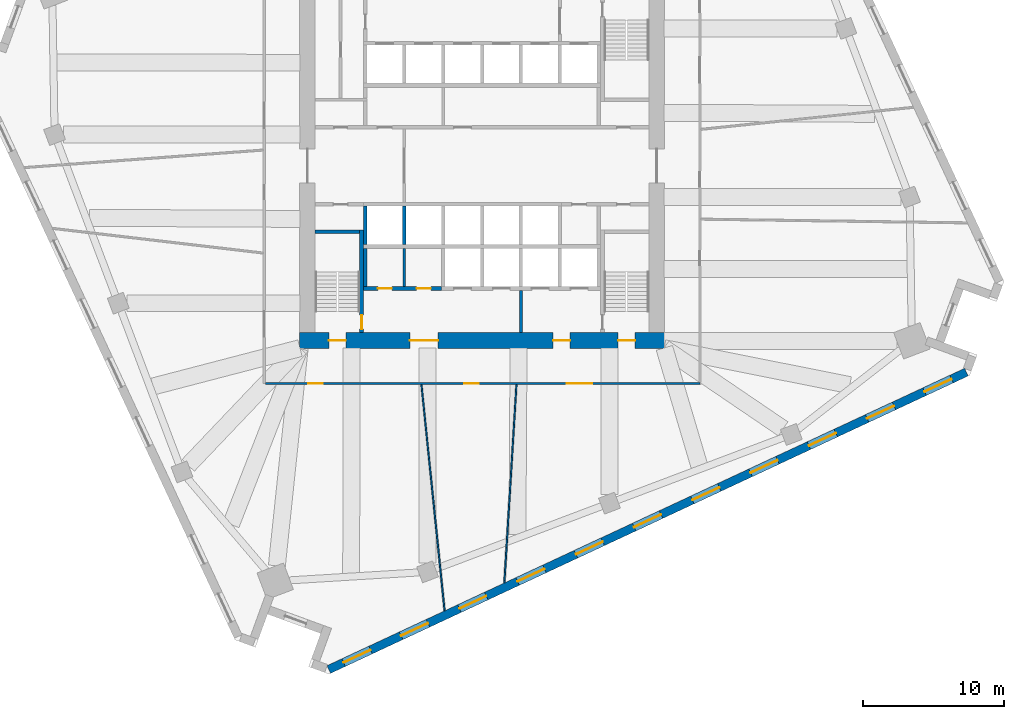
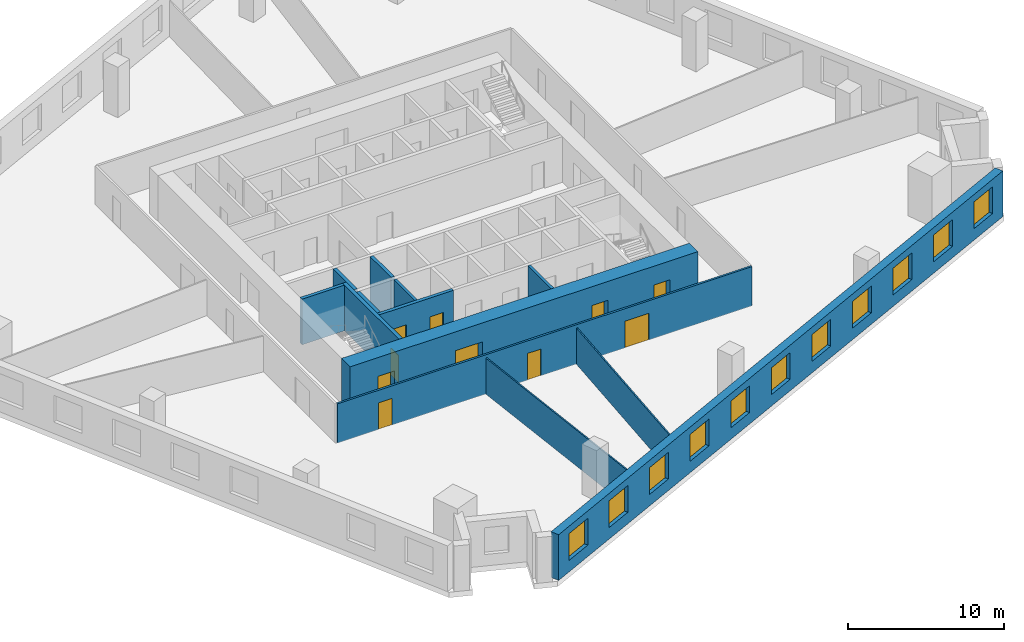
# One storey, part 6 of 12: 13 walls, 11 windows, 10 doors, 21 openings.
"""IFC4 building model written with IfcOpenShell, lengths in metres."""

from ifc_helpers import new_model, si_unit, direction, frame, frame_2d, origin, place, context, subcontext, project, spatial, rectangle, extrude, material, layer, layer_set, type_object, element, fill, save


model = new_model("IFC4")

# Units and contexts
model_context = context("Model", 3, precision=1e-05, world=origin(), true_north=direction((0.0, 1.0)))
body_context = subcontext(model_context, "Body", "Model", "MODEL_VIEW")
ifc_project = project(units=[si_unit("LENGTHUNIT", "METRE"), si_unit("AREAUNIT", "SQUARE_METRE"), si_unit("VOLUMEUNIT", "CUBIC_METRE"), si_unit("PLANEANGLEUNIT", "RADIAN"), si_unit("MASSUNIT", "GRAM", prefix="KILO")], contexts=[model_context])

# Site, building, storey
site_placement = place(None, origin())
site = spatial("IfcSite", under=ifc_project, at=site_placement, CompositionType="ELEMENT")
building_placement = place(site_placement, origin())
building = spatial("IfcBuilding", under=site, at=building_placement, Name="Dilmun Exchange Tower", CompositionType="ELEMENT")
storey_placement = place(building_placement, frame((0.0, 0.0, 126.10009765625)))
storey = spatial("IfcBuildingStorey", under=building, at=storey_placement, Name="L29", CompositionType="ELEMENT", Elevation=126.10009765625)

# Walls
ifc_material_1 = material(Name="Concrete C40/50", Category="concrete")
ifc_layer_1 = layer(ifc_material_1, 0.199951171875)
ifc_layer_set_1 = layer_set([ifc_layer_1], Name="Concrete C40/50")
wall_type_1 = type_object("IfcWallType", Name="Core partition wall 200", PredefinedType="PARTITIONING", material=ifc_layer_set_1)
wall_1_placement = place(storey_placement, frame((2.75, -11.794921875, 0.0), z_axis=(0.0, 0.0, 1.0), x_axis=(0.0, 1.0, 0.0)))
element("IfcWall", 1, at=wall_1_placement, inside=storey, type_object=wall_type_1, Name="L29 core partition wall 01", PredefinedType="PARTITIONING", context=body_context, shape_type="SweptSolid", body=[
    extrude(rectangle(XDim=2.989990234375, YDim=0.199951171875, at=frame_2d((1.4951171875, 0.0))), origin(), (0.0, 0.0, 1.0), 3.579833984375),
])
wall_2_placement = place(storey_placement, frame((-5.5, -8.544921875, 0.0), z_axis=(0.0, 0.0, 1.0), x_axis=(0.0, 1.0, 0.0)))
element("IfcWall", 2, at=wall_2_placement, inside=storey, type_object=wall_type_1, Name="L29 core partition wall 04", PredefinedType="PARTITIONING", context=body_context, shape_type="SweptSolid", body=[
    extrude(rectangle(XDim=2.68994140625, YDim=0.199951171875, at=frame_2d((1.344970703125, 0.0))), origin(), (0.0, 0.0, 1.0), 3.579833984375),
])

# Wall, openings, doors
ifc_layer_2 = layer(ifc_material_1, 0.25)
ifc_layer_set_2 = layer_set([ifc_layer_2], Name="Concrete C40/50")
wall_type_2 = type_object("IfcWallType", Name="Core partition wall 250", PredefinedType="PARTITIONING", material=ifc_layer_set_2)
wall_3_placement = place(storey_placement, frame((-8.3701171875, -8.675048828125, 0.0), z_axis=(0.0, 0.0, 1.0), x_axis=(1.0, 0.0, 0.0)))
wall_3 = element("IfcWall", 3, at=wall_3_placement, inside=storey, type_object=wall_type_2, Name="L29 core partition wall 02", PredefinedType="PARTITIONING", context=body_context, shape_type="SweptSolid", body=[
    extrude(rectangle(XDim=5.490234375, YDim=0.25, at=frame_2d((2.7451171875, 0.0))), origin(), (0.0, 0.0, 1.0), 3.579833984375),
])
opening_1_placement = place(wall_3_placement, frame((0.9951171875, 0.0, 0.0)))
opening_1 = element("IfcOpeningElement", 4, at=opening_1_placement, cuts=wall_3, Name="Opening CD4", PredefinedType="OPENING", context=body_context, shape_type="SweptSolid", body=[
    extrude(rectangle(XDim=1.0, YDim=2.10009765625, at=frame_2d((0.5, 1.050048828125))), frame((0.0, 0.135009765625, 0.0), z_axis=(0.0, -1.0, 0.0), x_axis=(1.0, 0.0, 0.0)), (0.0, 0.0, 1.0), 0.27001953125),
])
opening_2_placement = place(wall_3_placement, frame((3.7451171875, 0.0, 0.0)))
opening_2 = element("IfcOpeningElement", 5, at=opening_2_placement, cuts=wall_3, Name="Opening CD4", PredefinedType="OPENING", context=body_context, shape_type="SweptSolid", body=[
    extrude(rectangle(XDim=1.0, YDim=2.10009765625, at=frame_2d((0.5, 1.050048828125))), frame((0.0, 0.135009765625, 0.0), z_axis=(0.0, -1.0, 0.0), x_axis=(1.0, 0.0, 0.0)), (0.0, 0.0, 1.0), 0.27001953125),
])
ifc_material_2 = material(Name="Fire-rated steel door set", Category="steel")
door_type_1 = type_object("IfcDoorType", Name="Core room door 1000x2100", OperationType="SINGLE_SWING_LEFT", PredefinedType="DOOR", material=ifc_material_2)
door_1_placement = place(opening_1_placement, origin())
door_1 = element("IfcDoor", 6, at=door_1_placement, inside=storey, type_object=door_type_1, Name="L29 door Male WC", OperationType="SINGLE_SWING_RIGHT", OverallHeight=2.10009765625, OverallWidth=1.0, PredefinedType="DOOR", context=body_context, shape_type="SweptSolid", body=[
    extrude(rectangle(XDim=1.0, YDim=2.10009765625, at=frame_2d((0.5, 1.050048828125))), frame((0.0, 0.02490234375, 0.0), z_axis=(0.0, -1.0, 0.0), x_axis=(1.0, 0.0, 0.0)), (0.0, 0.0, 1.0), 0.050048828125),
])
fill(opening_1, door_1)
door_2_placement = place(opening_2_placement, origin())
door_2 = element("IfcDoor", 7, at=door_2_placement, inside=storey, type_object=door_type_1, Name="L29 door Female WC", OperationType="SINGLE_SWING_RIGHT", OverallHeight=2.10009765625, OverallWidth=1.0, PredefinedType="DOOR", context=body_context, shape_type="SweptSolid", body=[
    extrude(rectangle(XDim=1.0, YDim=2.10009765625, at=frame_2d((0.5, 1.050048828125))), frame((0.0, 0.02490234375, 0.0), z_axis=(0.0, -1.0, 0.0), x_axis=(1.0, 0.0, 0.0)), (0.0, 0.0, 1.0), 0.050048828125),
])
fill(opening_2, door_2)

# Wall
wall_4_placement = place(storey_placement, frame((-8.25, -8.544921875, 0.0), z_axis=(0.0, 0.0, 1.0), x_axis=(0.0, 1.0, 0.0)))
element("IfcWall", 8, at=wall_4_placement, inside=storey, type_object=wall_type_2, Name="L29 core partition wall 03", PredefinedType="PARTITIONING", context=body_context, shape_type="SweptSolid", body=[
    extrude(rectangle(XDim=2.68994140625, YDim=0.25, at=frame_2d((1.344970703125, 0.0))), origin(), (0.0, 0.0, 1.0), 3.579833984375),
])

# Wall, openings, doors
ifc_material_3 = material(Name="Concrete C80/95", Category="concrete")
ifc_layer_3 = layer(ifc_material_3, 1.10009765625)
ifc_layer_set_3 = layer_set([ifc_layer_3], Name="Concrete C80/95")
wall_type_3 = type_object("IfcWallType", Name="Core shear wall 1100 Concrete C80/95", PredefinedType="SHEAR", material=ifc_layer_set_3)
wall_5_placement = place(storey_placement, frame((-12.89990234375, -12.35009765625, 0.0), z_axis=(0.0, 0.0, 1.0), x_axis=(1.0, 0.0, 0.0)))
wall_5 = element("IfcWall", 9, at=wall_5_placement, inside=storey, type_object=wall_type_3, Name="L29 core shear wall S", PredefinedType="SHEAR", context=body_context, shape_type="SweptSolid", body=[
    extrude(rectangle(XDim=25.7998046875, YDim=1.10009765625, at=frame_2d((12.89990234375, 0.0))), origin(), (0.0, 0.0, 1.0), 3.579833984375),
])
opening_3_placement = place(wall_5_placement, frame((7.800048828125, 0.0, 0.0)))
opening_3 = element("IfcOpeningElement", 10, at=opening_3_placement, cuts=wall_5, Name="Opening CD2", PredefinedType="OPENING", context=body_context, shape_type="SweptSolid", body=[
    extrude(rectangle(XDim=2.0, YDim=2.10009765625, at=frame_2d((1.0, 1.050048828125))), frame((0.0, 0.56005859375, 0.0), z_axis=(0.0, -1.0, 0.0), x_axis=(1.0, 0.0, 0.0)), (0.0, 0.0, 1.0), 1.1201171875),
])
opening_4_placement = place(wall_5_placement, frame((17.925048828125, 0.0, 0.0)))
opening_4 = element("IfcOpeningElement", 11, at=opening_4_placement, cuts=wall_5, Name="Opening CD3", PredefinedType="OPENING", context=body_context, shape_type="SweptSolid", body=[
    extrude(rectangle(XDim=1.199951171875, YDim=2.10009765625, at=frame_2d((0.60009765625, 1.050048828125))), frame((0.0, 0.56005859375, 0.0), z_axis=(0.0, -1.0, 0.0), x_axis=(1.0, 0.0, 0.0)), (0.0, 0.0, 1.0), 1.1201171875),
])
opening_5_placement = place(wall_5_placement, frame((2.074951171875, 0.0, 0.0)))
opening_5 = element("IfcOpeningElement", 12, at=opening_5_placement, cuts=wall_5, Name="Opening CD3", PredefinedType="OPENING", context=body_context, shape_type="SweptSolid", body=[
    extrude(rectangle(XDim=1.199951171875, YDim=2.10009765625, at=frame_2d((0.60009765625, 1.050048828125))), frame((0.0, 0.56005859375, 0.0), z_axis=(0.0, -1.0, 0.0), x_axis=(1.0, 0.0, 0.0)), (0.0, 0.0, 1.0), 1.1201171875),
])
opening_6_placement = place(wall_5_placement, frame((22.52490234375, 0.0, 0.0)))
opening_6 = element("IfcOpeningElement", 13, at=opening_6_placement, cuts=wall_5, Name="Opening CD3", PredefinedType="OPENING", context=body_context, shape_type="SweptSolid", body=[
    extrude(rectangle(XDim=1.199951171875, YDim=2.10009765625, at=frame_2d((0.60009765625, 1.050048828125))), frame((0.0, 0.56005859375, 0.0), z_axis=(0.0, -1.0, 0.0), x_axis=(1.0, 0.0, 0.0)), (0.0, 0.0, 1.0), 1.1201171875),
])
door_type_2 = type_object("IfcDoorType", Name="Core service door 2000x2100", OperationType="DOUBLE_DOOR_DOUBLE_SWING", PredefinedType="DOOR", material=ifc_material_2)
door_3_placement = place(opening_3_placement, origin())
door_3 = element("IfcDoor", 14, at=door_3_placement, inside=storey, type_object=door_type_2, Name="L29 door South service lobby", OperationType="SINGLE_SWING_LEFT", OverallHeight=2.10009765625, OverallWidth=2.0, PredefinedType="DOOR", context=body_context, shape_type="SweptSolid", body=[
    extrude(rectangle(XDim=2.0, YDim=2.10009765625, at=frame_2d((1.0, 1.050048828125))), frame((0.0, 0.02490234375, 0.0), z_axis=(0.0, -1.0, 0.0), x_axis=(1.0, 0.0, 0.0)), (0.0, 0.0, 1.0), 0.050048828125),
])
fill(opening_3, door_3)
door_type_3 = type_object("IfcDoorType", Name="Stair exit door 1200x2100", OperationType="SINGLE_SWING_LEFT", PredefinedType="DOOR", material=ifc_material_2)
door_4_placement = place(opening_4_placement, origin())
door_4 = element("IfcDoor", 15, at=door_4_placement, inside=storey, type_object=door_type_3, Name="L29 door Fire-fighting lobby", OperationType="SINGLE_SWING_LEFT", OverallHeight=2.10009765625, OverallWidth=1.199951171875, PredefinedType="DOOR", context=body_context, shape_type="SweptSolid", body=[
    extrude(rectangle(XDim=1.199951171875, YDim=2.10009765625, at=frame_2d((0.60009765625, 1.050048828125))), frame((0.0, 0.02490234375, 0.0), z_axis=(0.0, -1.0, 0.0), x_axis=(1.0, 0.0, 0.0)), (0.0, 0.0, 1.0), 0.050048828125),
])
fill(opening_4, door_4)
door_5_placement = place(opening_5_placement, origin())
door_5 = element("IfcDoor", 16, at=door_5_placement, inside=storey, type_object=door_type_3, Name="L29 door Stair ST2", OperationType="SINGLE_SWING_LEFT", OverallHeight=2.10009765625, OverallWidth=1.199951171875, PredefinedType="DOOR", context=body_context, shape_type="SweptSolid", body=[
    extrude(rectangle(XDim=1.199951171875, YDim=2.10009765625, at=frame_2d((0.60009765625, 1.050048828125))), frame((0.0, 0.02490234375, 0.0), z_axis=(0.0, -1.0, 0.0), x_axis=(1.0, 0.0, 0.0)), (0.0, 0.0, 1.0), 0.050048828125),
])
fill(opening_5, door_5)
door_6_placement = place(opening_6_placement, origin())
door_6 = element("IfcDoor", 17, at=door_6_placement, inside=storey, type_object=door_type_3, Name="L29 door Stair ST3", OperationType="SINGLE_SWING_LEFT", OverallHeight=2.10009765625, OverallWidth=1.199951171875, PredefinedType="DOOR", context=body_context, shape_type="SweptSolid", body=[
    extrude(rectangle(XDim=1.199951171875, YDim=2.10009765625, at=frame_2d((0.60009765625, 1.050048828125))), frame((0.0, 0.02490234375, 0.0), z_axis=(0.0, -1.0, 0.0), x_axis=(1.0, 0.0, 0.0)), (0.0, 0.0, 1.0), 0.050048828125),
])
fill(opening_6, door_6)

ifc_material_4 = material(Name="Corridor wall 150")
ifc_layer_4 = layer(ifc_material_4, 0.14990234375)
ifc_layer_set_4 = layer_set([ifc_layer_4], Name="Corridor wall 150")
wall_type_4 = type_object("IfcWallType", Name="Corridor wall 150", PredefinedType="PARTITIONING", material=ifc_layer_set_4)
wall_6_placement = place(storey_placement, frame((-15.324951171875, -15.39990234375, 0.0), z_axis=(0.0, 0.0, 1.0), x_axis=(1.0, 0.0, 0.0)))
wall_6 = element("IfcWall", 18, at=wall_6_placement, inside=storey, type_object=wall_type_4, Name="Corridor wall", PredefinedType="PARTITIONING", context=body_context, shape_type="SweptSolid", body=[
    extrude(rectangle(XDim=30.724853515625, YDim=0.14990234375, at=frame_2d((15.3623046875, 0.0))), origin(), (0.0, 0.0, 1.0), 3.079833984375),
])
opening_7_placement = place(wall_6_placement, frame((3.050048828125, 0.0, 0.0)))
opening_7 = element("IfcOpeningElement", 19, at=opening_7_placement, cuts=wall_6, Name="Opening TF28-D05", PredefinedType="OPENING", context=body_context, shape_type="SweptSolid", body=[
    extrude(rectangle(XDim=1.0, YDim=2.10009765625, at=frame_2d((0.5, 1.050048828125))), frame((0.0, 0.0849609375, 0.0), z_axis=(0.0, -1.0, 0.0), x_axis=(1.0, 0.0, 0.0)), (0.0, 0.0, 1.0), 0.169921875),
])
opening_8_placement = place(wall_6_placement, frame((14.08056640625, 0.0, 0.0)))
opening_8 = element("IfcOpeningElement", 20, at=opening_8_placement, cuts=wall_6, Name="Opening TF28-D06", PredefinedType="OPENING", context=body_context, shape_type="SweptSolid", body=[
    extrude(rectangle(XDim=1.0, YDim=2.10009765625, at=frame_2d((0.5, 1.050048828125))), frame((0.0, 0.0849609375, 0.0), z_axis=(0.0, -1.0, 0.0), x_axis=(1.0, 0.0, 0.0)), (0.0, 0.0, 1.0), 0.169921875),
])
opening_9_placement = place(wall_6_placement, frame((21.308837890625, 0.0, 0.0)))
opening_9 = element("IfcOpeningElement", 21, at=opening_9_placement, cuts=wall_6, Name="Opening TF28-D10", PredefinedType="OPENING", context=body_context, shape_type="SweptSolid", body=[
    extrude(rectangle(XDim=1.800048828125, YDim=2.10009765625, at=frame_2d((0.89990234375, 1.050048828125))), frame((0.0, 0.0849609375, 0.0), z_axis=(0.0, -1.0, 0.0), x_axis=(1.0, 0.0, 0.0)), (0.0, 0.0, 1.0), 0.169921875),
])
ifc_material_5 = material(Name="Fire door 1000 x 2100")
door_type_4 = type_object("IfcDoorType", Name="Fire door 1000 x 2100", OperationType="NOTDEFINED", PredefinedType="DOOR", material=ifc_material_5)
door_7_placement = place(opening_7_placement, frame((1.0, 0.0, 0.0), z_axis=(0.0, 0.0, 1.0), x_axis=(-1.0, 0.0, 0.0)))
door_7 = element("IfcDoor", 22, at=door_7_placement, inside=storey, type_object=door_type_4, Name="Door TF28-D05", OperationType="SINGLE_SWING_RIGHT", OverallHeight=2.10009765625, OverallWidth=1.0, PredefinedType="DOOR", context=body_context, shape_type="SweptSolid", body=[
    extrude(rectangle(XDim=1.0, YDim=2.10009765625, at=frame_2d((0.5, 1.050048828125))), frame((0.0, 0.02490234375, 0.0), z_axis=(0.0, -1.0, 0.0), x_axis=(1.0, 0.0, 0.0)), (0.0, 0.0, 1.0), 0.050048828125),
])
fill(opening_7, door_7)
door_8_placement = place(opening_8_placement, frame((1.0, 0.0, 0.0), z_axis=(0.0, 0.0, 1.0), x_axis=(-1.0, 0.0, 0.0)))
door_8 = element("IfcDoor", 23, at=door_8_placement, inside=storey, type_object=door_type_4, Name="Door TF28-D06", OperationType="SINGLE_SWING_RIGHT", OverallHeight=2.10009765625, OverallWidth=1.0, PredefinedType="DOOR", context=body_context, shape_type="SweptSolid", body=[
    extrude(rectangle(XDim=1.0, YDim=2.10009765625, at=frame_2d((0.5, 1.050048828125))), frame((0.0, 0.02490234375, 0.0), z_axis=(0.0, -1.0, 0.0), x_axis=(1.0, 0.0, 0.0)), (0.0, 0.0, 1.0), 0.050048828125),
])
fill(opening_8, door_8)
ifc_material_6 = material(Name="Fire door pair 1800 x 2100")
door_type_5 = type_object("IfcDoorType", Name="Fire door pair 1800 x 2100", OperationType="NOTDEFINED", PredefinedType="DOOR", material=ifc_material_6)
door_9_placement = place(opening_9_placement, frame((1.800048828125, 0.0, 0.0), z_axis=(0.0, 0.0, 1.0), x_axis=(-1.0, 0.0, 0.0)))
door_9 = element("IfcDoor", 24, at=door_9_placement, inside=storey, type_object=door_type_5, Name="Door TF28-D10", OperationType="DOUBLE_DOOR_SINGLE_SWING", OverallHeight=2.10009765625, OverallWidth=1.800048828125, PredefinedType="DOOR", context=body_context, shape_type="SweptSolid", body=[
    extrude(rectangle(XDim=1.800048828125, YDim=2.10009765625, at=frame_2d((0.89990234375, 1.050048828125))), frame((0.0, 0.02490234375, 0.0), z_axis=(0.0, -1.0, 0.0), x_axis=(1.0, 0.0, 0.0)), (0.0, 0.0, 1.0), 0.050048828125),
])
fill(opening_9, door_9)

# Walls
ifc_layer_5 = layer(ifc_material_1, 0.25)
ifc_layer_set_5 = layer_set([ifc_layer_5], Name="Concrete C40/50")
wall_type_5 = type_object("IfcWallType", Name="Lift shaft wall 250", PredefinedType="SOLIDWALL", material=ifc_layer_set_5)
for number, where, z_axis, x_axis, name in (
    (25, (-8.25, -5.550048828125, 0.0), (0.0, 0.0, 1.0), (0.0, 1.0, 0.0), "L29 lift shaft divider S10"),
    (26, (-5.5, -5.550048828125, 0.0), (0.0, 0.0, 1.0), (0.0, 1.0, 0.0), "L29 lift shaft divider S11"),
):
    element("IfcWall", number, at=place(storey_placement, frame(where, z_axis=z_axis, x_axis=x_axis)), inside=storey, type_object=wall_type_5, Name=name, PredefinedType="SOLIDWALL", context=body_context, shape_type="SweptSolid", body=[
        extrude(rectangle(XDim=2.699951171875, YDim=0.25, at=frame_2d((1.35009765625, 0.0))), origin(), (0.0, 0.0, 1.0), 3.579833984375),
    ])
ifc_material_7 = material(Name="Partition 100")
ifc_layer_6 = layer(ifc_material_7, 0.10009765625)
ifc_layer_set_6 = layer_set([ifc_layer_6], Name="Partition 100")
wall_type_6 = type_object("IfcWallType", Name="Partition 100", PredefinedType="PARTITIONING", material=ifc_layer_set_6)
wall_7_placement = place(storey_placement, frame((-4.285888671875, -15.47998046875, 0.0), z_axis=(0.0, 0.0, 1.0), x_axis=(0.101806428454, -0.994804227537, 0.0)))
element("IfcWall", 27, at=wall_7_placement, inside=storey, type_object=wall_type_6, Name="Partition", PredefinedType="PARTITIONING", context=body_context, shape_type="SweptSolid", body=[
    extrude(rectangle(XDim=16.069580078125, YDim=0.10009765625, at=frame_2d((8.03466796875, 0.0))), origin(), (0.0, 0.0, 1.0), 2.829833984375),
])
wall_8_placement = place(storey_placement, frame((1.57568359375, -29.49560546875, 0.0), z_axis=(0.0, 0.0, 1.0), x_axis=(0.06091495283, 0.998142959962, 0.0)))
element("IfcWall", 28, at=wall_8_placement, inside=storey, type_object=wall_type_6, Name="Partition", PredefinedType="PARTITIONING", context=body_context, shape_type="SweptSolid", body=[
    extrude(rectangle(XDim=14.043701171875, YDim=0.10009765625, at=frame_2d((7.02197265625, 0.0))), origin(), (0.0, 0.0, 1.0), 2.829833984375),
])

# Wall, openings, windows
ifc_material_8 = material(Name="Precast concrete C50/60", Category="concrete")
ifc_layer_7 = layer(ifc_material_8, 0.60009765625)
ifc_layer_set_7 = layer_set([ifc_layer_7], Name="Precast concrete C50/60")
wall_type_7 = type_object("IfcWallType", Name="Precast stone-clad wall 600", PredefinedType="STANDARD", material=ifc_layer_set_7)
wall_9_placement = place(storey_placement, frame((-10.83837890625, -35.61767578125, 0.0), z_axis=(0.0, 0.0, 1.0), x_axis=(0.906307589826, 0.422618684659, 0.0)))
wall_9 = element("IfcWall", 29, at=wall_9_placement, inside=storey, type_object=wall_type_7, Name="Facade wall L29-15", PredefinedType="STANDARD", context=body_context, shape_type="SweptSolid", body=[
    extrude(rectangle(XDim=49.75146484375, YDim=0.60009765625, at=frame_2d((24.875732421875, 0.0))), origin(), (0.0, 0.0, 1.0), 3.579833984375),
])
opening_10_placement = place(wall_9_placement, frame((1.16064453125, 0.0, 0.89990234375)))
opening_10 = element("IfcOpeningElement", 30, at=opening_10_placement, cuts=wall_9, Name="Opening W210-210", PredefinedType="OPENING", context=body_context, shape_type="SweptSolid", body=[
    extrude(rectangle(XDim=2.10009765625, YDim=2.10009765625, at=frame_2d((1.050048828125, 1.050048828125))), frame((0.0, 0.31005859375, 0.0), z_axis=(0.0, -1.0, 0.0), x_axis=(1.0, 0.0, 0.0)), (0.0, 0.0, 1.0), 0.6201171875),
])
opening_11_placement = place(wall_9_placement, frame((5.643798828125, 0.0, 0.89990234375)))
opening_11 = element("IfcOpeningElement", 31, at=opening_11_placement, cuts=wall_9, Name="Opening W210-210", PredefinedType="OPENING", context=body_context, shape_type="SweptSolid", body=[
    extrude(rectangle(XDim=2.10009765625, YDim=2.10009765625, at=frame_2d((1.050048828125, 1.050048828125))), frame((0.0, 0.31005859375, 0.0), z_axis=(0.0, -1.0, 0.0), x_axis=(1.0, 0.0, 0.0)), (0.0, 0.0, 1.0), 0.6201171875),
])
opening_12_placement = place(wall_9_placement, frame((10.189453125, 0.0, 0.89990234375)))
opening_12 = element("IfcOpeningElement", 32, at=opening_12_placement, cuts=wall_9, Name="Opening W210-210", PredefinedType="OPENING", context=body_context, shape_type="SweptSolid", body=[
    extrude(rectangle(XDim=2.10009765625, YDim=2.10009765625, at=frame_2d((1.050048828125, 1.050048828125))), frame((0.0, 0.31005859375, 0.0), z_axis=(0.0, -1.0, 0.0), x_axis=(1.0, 0.0, 0.0)), (0.0, 0.0, 1.0), 0.6201171875),
])
opening_13_placement = place(wall_9_placement, frame((14.73486328125, 0.0, 0.89990234375)))
opening_13 = element("IfcOpeningElement", 33, at=opening_13_placement, cuts=wall_9, Name="Opening W210-210", PredefinedType="OPENING", context=body_context, shape_type="SweptSolid", body=[
    extrude(rectangle(XDim=2.10009765625, YDim=2.10009765625, at=frame_2d((1.050048828125, 1.050048828125))), frame((0.0, 0.31005859375, 0.0), z_axis=(0.0, -1.0, 0.0), x_axis=(1.0, 0.0, 0.0)), (0.0, 0.0, 1.0), 0.6201171875),
])
opening_14_placement = place(wall_9_placement, frame((19.2802734375, 0.0, 0.89990234375)))
opening_14 = element("IfcOpeningElement", 34, at=opening_14_placement, cuts=wall_9, Name="Opening W210-210", PredefinedType="OPENING", context=body_context, shape_type="SweptSolid", body=[
    extrude(rectangle(XDim=2.10009765625, YDim=2.10009765625, at=frame_2d((1.050048828125, 1.050048828125))), frame((0.0, 0.31005859375, 0.0), z_axis=(0.0, -1.0, 0.0), x_axis=(1.0, 0.0, 0.0)), (0.0, 0.0, 1.0), 0.6201171875),
])
opening_15_placement = place(wall_9_placement, frame((23.82568359375, 0.0, 0.89990234375)))
opening_15 = element("IfcOpeningElement", 35, at=opening_15_placement, cuts=wall_9, Name="Opening W210-210", PredefinedType="OPENING", context=body_context, shape_type="SweptSolid", body=[
    extrude(rectangle(XDim=2.10009765625, YDim=2.10009765625, at=frame_2d((1.050048828125, 1.050048828125))), frame((0.0, 0.31005859375, 0.0), z_axis=(0.0, -1.0, 0.0), x_axis=(1.0, 0.0, 0.0)), (0.0, 0.0, 1.0), 0.6201171875),
])
opening_16_placement = place(wall_9_placement, frame((28.37109375, 0.0, 0.89990234375)))
opening_16 = element("IfcOpeningElement", 36, at=opening_16_placement, cuts=wall_9, Name="Opening W210-210", PredefinedType="OPENING", context=body_context, shape_type="SweptSolid", body=[
    extrude(rectangle(XDim=2.10009765625, YDim=2.10009765625, at=frame_2d((1.050048828125, 1.050048828125))), frame((0.0, 0.31005859375, 0.0), z_axis=(0.0, -1.0, 0.0), x_axis=(1.0, 0.0, 0.0)), (0.0, 0.0, 1.0), 0.6201171875),
])
opening_17_placement = place(wall_9_placement, frame((32.91650390625, 0.0, 0.89990234375)))
opening_17 = element("IfcOpeningElement", 37, at=opening_17_placement, cuts=wall_9, Name="Opening W210-210", PredefinedType="OPENING", context=body_context, shape_type="SweptSolid", body=[
    extrude(rectangle(XDim=2.10009765625, YDim=2.10009765625, at=frame_2d((1.050048828125, 1.050048828125))), frame((0.0, 0.31005859375, 0.0), z_axis=(0.0, -1.0, 0.0), x_axis=(1.0, 0.0, 0.0)), (0.0, 0.0, 1.0), 0.6201171875),
])
opening_18_placement = place(wall_9_placement, frame((37.462158203125, 0.0, 0.89990234375)))
opening_18 = element("IfcOpeningElement", 38, at=opening_18_placement, cuts=wall_9, Name="Opening W210-210", PredefinedType="OPENING", context=body_context, shape_type="SweptSolid", body=[
    extrude(rectangle(XDim=2.10009765625, YDim=2.10009765625, at=frame_2d((1.050048828125, 1.050048828125))), frame((0.0, 0.31005859375, 0.0), z_axis=(0.0, -1.0, 0.0), x_axis=(1.0, 0.0, 0.0)), (0.0, 0.0, 1.0), 0.6201171875),
])
opening_19_placement = place(wall_9_placement, frame((42.007568359375, 0.0, 0.89990234375)))
opening_19 = element("IfcOpeningElement", 39, at=opening_19_placement, cuts=wall_9, Name="Opening W210-210", PredefinedType="OPENING", context=body_context, shape_type="SweptSolid", body=[
    extrude(rectangle(XDim=2.10009765625, YDim=2.10009765625, at=frame_2d((1.050048828125, 1.050048828125))), frame((0.0, 0.31005859375, 0.0), z_axis=(0.0, -1.0, 0.0), x_axis=(1.0, 0.0, 0.0)), (0.0, 0.0, 1.0), 0.6201171875),
])
opening_20_placement = place(wall_9_placement, frame((46.490966796875, 0.0, 0.89990234375)))
opening_20 = element("IfcOpeningElement", 40, at=opening_20_placement, cuts=wall_9, Name="Opening W210-210", PredefinedType="OPENING", context=body_context, shape_type="SweptSolid", body=[
    extrude(rectangle(XDim=2.10009765625, YDim=2.10009765625, at=frame_2d((1.050048828125, 1.050048828125))), frame((0.0, 0.31005859375, 0.0), z_axis=(0.0, -1.0, 0.0), x_axis=(1.0, 0.0, 0.0)), (0.0, 0.0, 1.0), 0.6201171875),
])
ifc_material_9 = material(Name="Clear low-emissivity glass in aluminium frame", Category="aluminium")
window_type = type_object("IfcWindowType", Name="Punched window 2100 x 2100", PartitioningType="DOUBLE_PANEL_VERTICAL", PredefinedType="WINDOW", material=ifc_material_9)
window_1_placement = place(opening_10_placement, origin())
window_1 = element("IfcWindow", 41, at=window_1_placement, inside=storey, type_object=window_type, Name="Window 16.1", OverallHeight=2.10009765625, OverallWidth=2.10009765625, PartitioningType="SINGLE_PANEL", PredefinedType="WINDOW", context=body_context, shape_type="SweptSolid", body=[
    extrude(rectangle(XDim=2.10009765625, YDim=2.10009765625, at=frame_2d((1.050048828125, 1.050048828125))), frame((0.0, 0.030029296875, 0.0), z_axis=(0.0, -1.0, 0.0), x_axis=(1.0, 0.0, 0.0)), (0.0, 0.0, 1.0), 0.06005859375),
])
fill(opening_10, window_1)
window_2_placement = place(opening_11_placement, origin())
window_2 = element("IfcWindow", 42, at=window_2_placement, inside=storey, type_object=window_type, Name="Window 16.2", OverallHeight=2.10009765625, OverallWidth=2.10009765625, PartitioningType="SINGLE_PANEL", PredefinedType="WINDOW", context=body_context, shape_type="SweptSolid", body=[
    extrude(rectangle(XDim=2.10009765625, YDim=2.10009765625, at=frame_2d((1.050048828125, 1.050048828125))), frame((0.0, 0.030029296875, 0.0), z_axis=(0.0, -1.0, 0.0), x_axis=(1.0, 0.0, 0.0)), (0.0, 0.0, 1.0), 0.06005859375),
])
fill(opening_11, window_2)
window_3_placement = place(opening_12_placement, origin())
window_3 = element("IfcWindow", 43, at=window_3_placement, inside=storey, type_object=window_type, Name="Window 16.3", OverallHeight=2.10009765625, OverallWidth=2.10009765625, PartitioningType="SINGLE_PANEL", PredefinedType="WINDOW", context=body_context, shape_type="SweptSolid", body=[
    extrude(rectangle(XDim=2.10009765625, YDim=2.10009765625, at=frame_2d((1.050048828125, 1.050048828125))), frame((0.0, 0.030029296875, 0.0), z_axis=(0.0, -1.0, 0.0), x_axis=(1.0, 0.0, 0.0)), (0.0, 0.0, 1.0), 0.06005859375),
])
fill(opening_12, window_3)
window_4_placement = place(opening_13_placement, origin())
window_4 = element("IfcWindow", 44, at=window_4_placement, inside=storey, type_object=window_type, Name="Window 16.4", OverallHeight=2.10009765625, OverallWidth=2.10009765625, PartitioningType="SINGLE_PANEL", PredefinedType="WINDOW", context=body_context, shape_type="SweptSolid", body=[
    extrude(rectangle(XDim=2.10009765625, YDim=2.10009765625, at=frame_2d((1.050048828125, 1.050048828125))), frame((0.0, 0.030029296875, 0.0), z_axis=(0.0, -1.0, 0.0), x_axis=(1.0, 0.0, 0.0)), (0.0, 0.0, 1.0), 0.06005859375),
])
fill(opening_13, window_4)
window_5_placement = place(opening_14_placement, origin())
window_5 = element("IfcWindow", 45, at=window_5_placement, inside=storey, type_object=window_type, Name="Window 16.5", OverallHeight=2.10009765625, OverallWidth=2.10009765625, PartitioningType="SINGLE_PANEL", PredefinedType="WINDOW", context=body_context, shape_type="SweptSolid", body=[
    extrude(rectangle(XDim=2.10009765625, YDim=2.10009765625, at=frame_2d((1.050048828125, 1.050048828125))), frame((0.0, 0.030029296875, 0.0), z_axis=(0.0, -1.0, 0.0), x_axis=(1.0, 0.0, 0.0)), (0.0, 0.0, 1.0), 0.06005859375),
])
fill(opening_14, window_5)
window_6_placement = place(opening_15_placement, origin())
window_6 = element("IfcWindow", 46, at=window_6_placement, inside=storey, type_object=window_type, Name="Window 16.6", OverallHeight=2.10009765625, OverallWidth=2.10009765625, PartitioningType="SINGLE_PANEL", PredefinedType="WINDOW", context=body_context, shape_type="SweptSolid", body=[
    extrude(rectangle(XDim=2.10009765625, YDim=2.10009765625, at=frame_2d((1.050048828125, 1.050048828125))), frame((0.0, 0.030029296875, 0.0), z_axis=(0.0, -1.0, 0.0), x_axis=(1.0, 0.0, 0.0)), (0.0, 0.0, 1.0), 0.06005859375),
])
fill(opening_15, window_6)
window_7_placement = place(opening_16_placement, origin())
window_7 = element("IfcWindow", 47, at=window_7_placement, inside=storey, type_object=window_type, Name="Window 16.7", OverallHeight=2.10009765625, OverallWidth=2.10009765625, PartitioningType="SINGLE_PANEL", PredefinedType="WINDOW", context=body_context, shape_type="SweptSolid", body=[
    extrude(rectangle(XDim=2.10009765625, YDim=2.10009765625, at=frame_2d((1.050048828125, 1.050048828125))), frame((0.0, 0.030029296875, 0.0), z_axis=(0.0, -1.0, 0.0), x_axis=(1.0, 0.0, 0.0)), (0.0, 0.0, 1.0), 0.06005859375),
])
fill(opening_16, window_7)
window_8_placement = place(opening_17_placement, origin())
window_8 = element("IfcWindow", 48, at=window_8_placement, inside=storey, type_object=window_type, Name="Window 16.8", OverallHeight=2.10009765625, OverallWidth=2.10009765625, PartitioningType="SINGLE_PANEL", PredefinedType="WINDOW", context=body_context, shape_type="SweptSolid", body=[
    extrude(rectangle(XDim=2.10009765625, YDim=2.10009765625, at=frame_2d((1.050048828125, 1.050048828125))), frame((0.0, 0.030029296875, 0.0), z_axis=(0.0, -1.0, 0.0), x_axis=(1.0, 0.0, 0.0)), (0.0, 0.0, 1.0), 0.06005859375),
])
fill(opening_17, window_8)
window_9_placement = place(opening_18_placement, origin())
window_9 = element("IfcWindow", 49, at=window_9_placement, inside=storey, type_object=window_type, Name="Window 16.9", OverallHeight=2.10009765625, OverallWidth=2.10009765625, PartitioningType="SINGLE_PANEL", PredefinedType="WINDOW", context=body_context, shape_type="SweptSolid", body=[
    extrude(rectangle(XDim=2.10009765625, YDim=2.10009765625, at=frame_2d((1.050048828125, 1.050048828125))), frame((0.0, 0.030029296875, 0.0), z_axis=(0.0, -1.0, 0.0), x_axis=(1.0, 0.0, 0.0)), (0.0, 0.0, 1.0), 0.06005859375),
])
fill(opening_18, window_9)
window_10_placement = place(opening_19_placement, origin())
window_10 = element("IfcWindow", 50, at=window_10_placement, inside=storey, type_object=window_type, Name="Window 16.10", OverallHeight=2.10009765625, OverallWidth=2.10009765625, PartitioningType="SINGLE_PANEL", PredefinedType="WINDOW", context=body_context, shape_type="SweptSolid", body=[
    extrude(rectangle(XDim=2.10009765625, YDim=2.10009765625, at=frame_2d((1.050048828125, 1.050048828125))), frame((0.0, 0.030029296875, 0.0), z_axis=(0.0, -1.0, 0.0), x_axis=(1.0, 0.0, 0.0)), (0.0, 0.0, 1.0), 0.06005859375),
])
fill(opening_19, window_10)
window_11_placement = place(opening_20_placement, origin())
window_11 = element("IfcWindow", 51, at=window_11_placement, inside=storey, type_object=window_type, Name="Window 16.11", OverallHeight=2.10009765625, OverallWidth=2.10009765625, PartitioningType="SINGLE_PANEL", PredefinedType="WINDOW", context=body_context, shape_type="SweptSolid", body=[
    extrude(rectangle(XDim=2.10009765625, YDim=2.10009765625, at=frame_2d((1.050048828125, 1.050048828125))), frame((0.0, 0.030029296875, 0.0), z_axis=(0.0, -1.0, 0.0), x_axis=(1.0, 0.0, 0.0)), (0.0, 0.0, 1.0), 0.06005859375),
])
fill(opening_20, window_11)

# Wall
ifc_layer_8 = layer(ifc_material_1, 0.25)
ifc_layer_set_8 = layer_set([ifc_layer_8], Name="Concrete C40/50")
wall_type_8 = type_object("IfcWallType", Name="Stair end wall 250", PredefinedType="SOLIDWALL", material=ifc_layer_set_8)
wall_10_placement = place(storey_placement, frame((-8.64990234375, -4.675048828125, 0.0), z_axis=(0.0, 0.0, 1.0), x_axis=(-1.0, 0.0, 0.0)))
element("IfcWall", 52, at=wall_10_placement, inside=storey, type_object=wall_type_8, Name="L29 ST2 far wall", PredefinedType="SOLIDWALL", context=body_context, shape_type="SweptSolid", body=[
    extrude(rectangle(XDim=3.150146484375, YDim=0.25, at=frame_2d((1.5751953125, 0.0))), origin(), (0.0, 0.0, 1.0), 3.579833984375),
])

# Wall, opening, door
ifc_layer_9 = layer(ifc_material_1, 0.27490234375)
ifc_layer_set_9 = layer_set([ifc_layer_9], Name="Concrete C40/50")
wall_type_9 = type_object("IfcWallType", Name="Stair wall 275", PredefinedType="SOLIDWALL", material=ifc_layer_set_9)
wall_11_placement = place(storey_placement, frame((-8.512451171875, -4.550048828125, 0.0), z_axis=(0.0, 0.0, 1.0), x_axis=(0.0, -1.0, 0.0)))
wall_11 = element("IfcWall", 53, at=wall_11_placement, inside=storey, type_object=wall_type_9, Name="L29 ST2 wall to lift block", PredefinedType="SOLIDWALL", context=body_context, shape_type="SweptSolid", body=[
    extrude(rectangle(XDim=7.25, YDim=0.27490234375, at=frame_2d((3.625, 0.0))), origin(), (0.0, 0.0, 1.0), 3.579833984375),
])
opening_21_placement = place(wall_11_placement, frame((6.0, 0.0, 0.0)))
opening_21 = element("IfcOpeningElement", 54, at=opening_21_placement, cuts=wall_11, Name="Opening CD4", PredefinedType="OPENING", context=body_context, shape_type="SweptSolid", body=[
    extrude(rectangle(XDim=1.0, YDim=2.10009765625, at=frame_2d((0.5, 1.050048828125))), frame((0.0, 0.1474609375, 0.0), z_axis=(0.0, -1.0, 0.0), x_axis=(1.0, 0.0, 0.0)), (0.0, 0.0, 1.0), 0.294921875),
])
door_10_placement = place(opening_21_placement, origin())
door_10 = element("IfcDoor", 55, at=door_10_placement, inside=storey, type_object=door_type_1, Name="L29 door ST2 from lobby", OperationType="SINGLE_SWING_LEFT", OverallHeight=2.10009765625, OverallWidth=1.0, PredefinedType="DOOR", context=body_context, shape_type="SweptSolid", body=[
    extrude(rectangle(XDim=1.0, YDim=2.10009765625, at=frame_2d((0.5, 1.050048828125))), frame((0.0, 0.02490234375, 0.0), z_axis=(0.0, -1.0, 0.0), x_axis=(1.0, 0.0, 0.0)), (0.0, 0.0, 1.0), 0.050048828125),
])
fill(opening_21, door_10)

save(model, "model.ifc")
